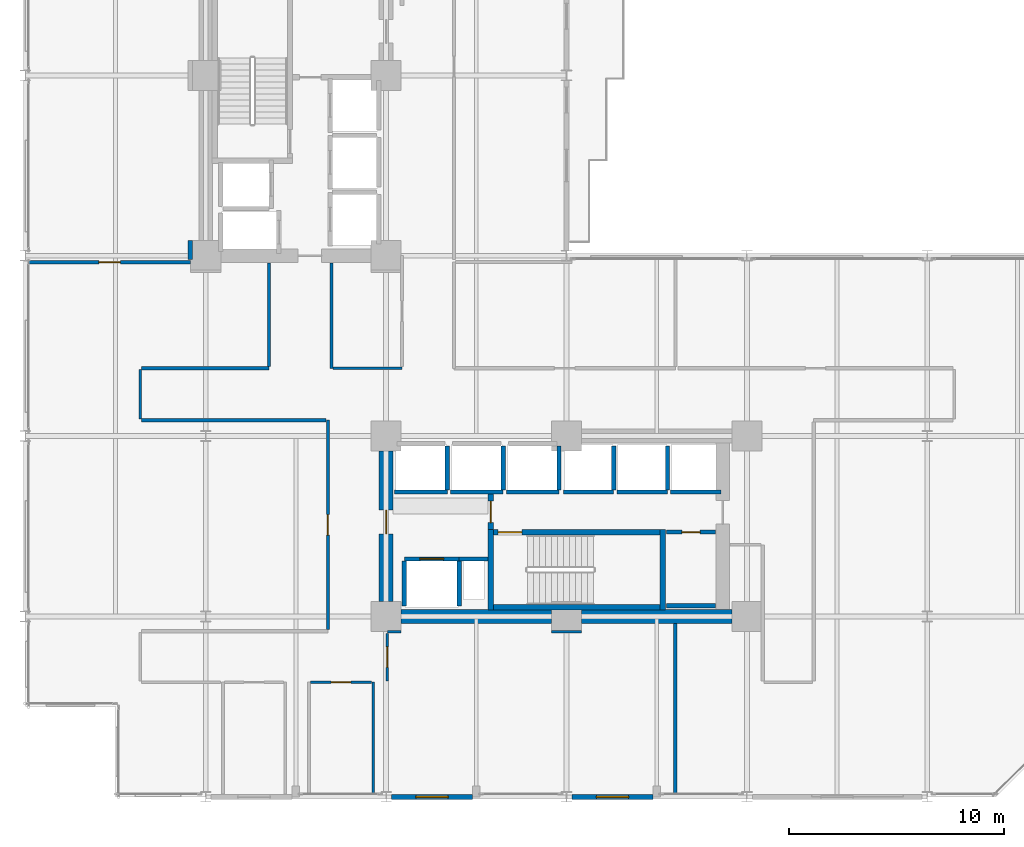
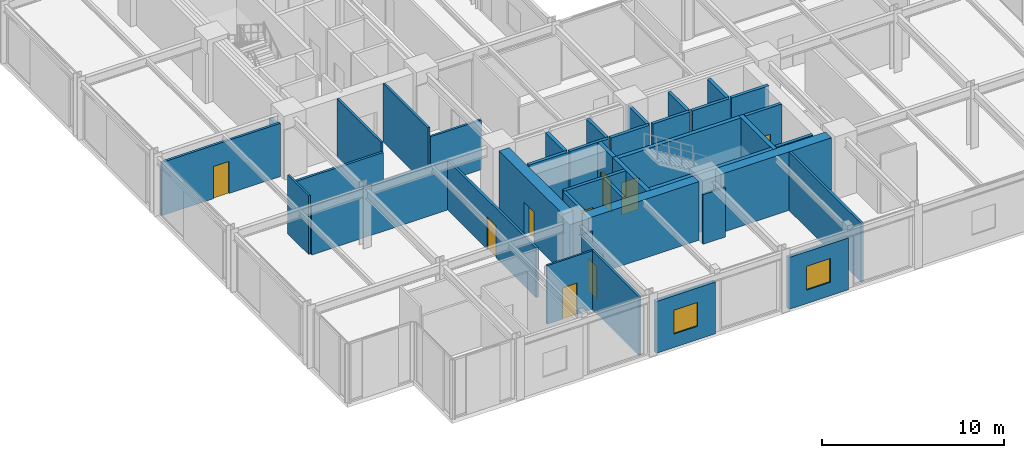
# One storey, part 19 of 24: 42 walls, 9 doors, 2 windows, 11 openings.
"""IFC4 building model written with IfcOpenShell, lengths in metres."""

from ifc_helpers import new_model, si_unit, direction, frame, frame_2d, origin, place, context, subcontext, project, spatial, rectangle, extrude, material, layer, layer_set, type_object, element, fill, save


model = new_model("IFC4")

# Units and contexts
model_context = context("Model", 3, precision=1e-05, world=origin(), true_north=direction((0.0, 1.0)))
body_context = subcontext(model_context, "Body", "Model", "MODEL_VIEW")
ifc_project = project(units=[si_unit("LENGTHUNIT", "METRE"), si_unit("AREAUNIT", "SQUARE_METRE"), si_unit("VOLUMEUNIT", "CUBIC_METRE"), si_unit("PLANEANGLEUNIT", "RADIAN"), si_unit("MASSUNIT", "GRAM", prefix="KILO")], contexts=[model_context])

# Site, building, storey
site_placement = place(None, origin())
site = spatial("IfcSite", under=ifc_project, at=site_placement, CompositionType="ELEMENT")
building_placement = place(site_placement, origin())
building = spatial("IfcBuilding", under=site, at=building_placement, Name="Nerrivon Quay Data Exchange", CompositionType="ELEMENT")
storey_placement = place(building_placement, frame((0.0, 0.0, 37.39990234375)))
storey = spatial("IfcBuildingStorey", under=building, at=storey_placement, Name="L08", CompositionType="ELEMENT", Elevation=37.39990234375)

# Wall, opening, window
ifc_material_1 = material(Name="Architectural terracotta precast concrete N50 (50 MPa)", Category="masonry")
ifc_layer_1 = layer(ifc_material_1, 0.239990234375)
ifc_layer_set_1 = layer_set([ifc_layer_1], Name="Architectural terracotta precast concrete N50 (50 MPa)")
wall_type_1 = type_object("IfcWallType", Name="EW-PREC-240", PredefinedType="STANDARD", material=ifc_layer_set_1)
wall_1_placement = place(storey_placement, frame((29.22509765625, 0.0, 0.0), z_axis=(0.0, 0.0, 1.0), x_axis=(-1.0, 0.0, 0.0)))
wall_1 = element("IfcWall", 1, at=wall_1_placement, inside=storey, type_object=wall_type_1, Name="L08 Podium Precast Spandrel Wall 5", PredefinedType="STANDARD", context=body_context, shape_type="SweptSolid", body=[
    extrude(rectangle(XDim=3.775146484375, YDim=0.239990234375, at=frame_2d((1.8876953125, 0.0))), origin(), (0.0, 0.0, 1.0), 3.47119140625),
])
opening_1_placement = place(wall_1_placement, frame((1.137451171875, 0.0, 0.89990234375)))
opening_1 = element("IfcOpeningElement", 2, at=opening_1_placement, cuts=wall_1, Name="Opening WN4", PredefinedType="OPENING", context=body_context, shape_type="SweptSolid", body=[
    extrude(rectangle(XDim=1.5, YDim=1.60009765625, at=frame_2d((0.75, 0.800048828125))), frame((0.0, 0.1298828125, 0.0), z_axis=(0.0, -1.0, 0.0), x_axis=(1.0, 0.0, 0.0)), (0.0, 0.0, 1.0), 0.260009765625),
])
ifc_material_2 = material(Name="Double-glazed low-E solar control glass", Category="glass")
window_type = type_object("IfcWindowType", Name="WIN-W4-1500x1600", PartitioningType="SINGLE_PANEL", PredefinedType="WINDOW", material=ifc_material_2)
window_1_placement = place(opening_1_placement, origin())
window_1 = element("IfcWindow", 3, at=window_1_placement, inside=storey, type_object=window_type, Name="L08 Solar Facade Window 5", OverallHeight=1.60009765625, OverallWidth=1.5, PartitioningType="SINGLE_PANEL", PredefinedType="WINDOW", context=body_context, shape_type="SweptSolid", body=[
    extrude(rectangle(XDim=1.5, YDim=1.60009765625, at=frame_2d((0.75, 0.800048828125))), frame((0.0, 0.030029296875, 0.0), z_axis=(0.0, -1.0, 0.0), x_axis=(1.0, 0.0, 0.0)), (0.0, 0.0, 1.0), 0.06005859375),
])
fill(opening_1, window_1)

wall_2_placement = place(storey_placement, frame((20.824951171875, 0.0, 0.0), z_axis=(0.0, 0.0, 1.0), x_axis=(-1.0, 0.0, 0.0)))
wall_2 = element("IfcWall", 4, at=wall_2_placement, inside=storey, type_object=wall_type_1, Name="L08 Podium Precast Spandrel Wall 7", PredefinedType="STANDARD", context=body_context, shape_type="SweptSolid", body=[
    extrude(rectangle(XDim=3.77490234375, YDim=0.239990234375, at=frame_2d((1.887451171875, 0.0))), origin(), (0.0, 0.0, 1.0), 3.47119140625),
])
opening_2_placement = place(wall_2_placement, frame((1.137451171875, 0.0, 0.89990234375)))
opening_2 = element("IfcOpeningElement", 5, at=opening_2_placement, cuts=wall_2, Name="Opening WN4", PredefinedType="OPENING", context=body_context, shape_type="SweptSolid", body=[
    extrude(rectangle(XDim=1.5, YDim=1.60009765625, at=frame_2d((0.75, 0.800048828125))), frame((0.0, 0.1298828125, 0.0), z_axis=(0.0, -1.0, 0.0), x_axis=(1.0, 0.0, 0.0)), (0.0, 0.0, 1.0), 0.260009765625),
])
window_2_placement = place(opening_2_placement, origin())
window_2 = element("IfcWindow", 6, at=window_2_placement, inside=storey, type_object=window_type, Name="L08 Solar Facade Window 7", OverallHeight=1.60009765625, OverallWidth=1.5, PartitioningType="SINGLE_PANEL", PredefinedType="WINDOW", context=body_context, shape_type="SweptSolid", body=[
    extrude(rectangle(XDim=1.5, YDim=1.60009765625, at=frame_2d((0.75, 0.800048828125))), frame((0.0, 0.030029296875, 0.0), z_axis=(0.0, -1.0, 0.0), x_axis=(1.0, 0.0, 0.0)), (0.0, 0.0, 1.0), 0.06005859375),
])
fill(opening_2, window_2)

# Walls
ifc_material_3 = material(Name="Concrete N80 (80 MPa)", Category="concrete")
ifc_layer_2 = layer(ifc_material_3, 0.64990234375)
ifc_layer_set_2 = layer_set([ifc_layer_2], Name="Concrete N80 (80 MPa)")
wall_type_2 = type_object("IfcWallType", Name="WALL-CW-850", PredefinedType="SHEAR", material=ifc_layer_set_2)
for number, where, z_axis, x_axis, name in (
    (7, (17.5, 8.39990234375, 0.0), (0.0, 0.0, 1.0), (1.0, 0.0, 0.0), "L08 East Split-Core Shear Wall ECW-S1"),
    (8, (25.89990234375, 8.39990234375, 0.0), (0.0, 0.0, 1.0), (1.0, 0.0, 0.0), "L08 East Split-Core Shear Wall ECW-S2"),
):
    element("IfcWall", number, at=place(storey_placement, frame(where, z_axis=z_axis, x_axis=x_axis)), inside=storey, type_object=wall_type_2, Name=name, PredefinedType="SHEAR", context=body_context, shape_type="SweptSolid", body=[
        extrude(rectangle(XDim=7.0, YDim=0.64990234375, at=frame_2d((3.5, 0.0))), origin(), (0.0, 0.0, 1.0), 3.925048828125),
    ])

# Wall, opening, door
wall_3_placement = place(storey_placement, frame((16.800048828125, 9.10009765625, 0.0), z_axis=(0.0, 0.0, 1.0), x_axis=(0.0, 1.0, 0.0)))
wall_3 = element("IfcWall", 9, at=wall_3_placement, inside=storey, type_object=wall_type_2, Name="L08 East Split-Core Shear Wall ECW-W1", PredefinedType="SHEAR", context=body_context, shape_type="SweptSolid", body=[
    extrude(rectangle(XDim=7.0, YDim=0.64990234375, at=frame_2d((3.5, 0.0))), origin(), (0.0, 0.0, 1.0), 3.925048828125),
])
opening_3_placement = place(wall_3_placement, frame((3.14990234375, 0.0, 0.0)))
opening_3 = element("IfcOpeningElement", 10, at=opening_3_placement, cuts=wall_3, Name="Opening FD-120", PredefinedType="OPENING", context=body_context, shape_type="SweptSolid", body=[
    extrude(rectangle(XDim=1.10009765625, YDim=2.14990234375, at=frame_2d((0.550048828125, 1.074951171875))), frame((0.0, 0.3349609375, 0.0), z_axis=(0.0, -1.0, 0.0), x_axis=(1.0, 0.0, 0.0)), (0.0, 0.0, 1.0), 0.669921875),
])
ifc_material_4 = material(Name="Powder-coated galvanized steel sheet", Category="steel")
door_type_1 = type_object("IfcDoorType", Name="DR-FD120-1100", OperationType="NOTDEFINED", PredefinedType="DOOR", material=ifc_material_4)
door_1_placement = place(opening_3_placement, origin())
door_1 = element("IfcDoor", 11, at=door_1_placement, inside=storey, type_object=door_type_1, Name="L08 East Core Lobby Fire Door", OperationType="SINGLE_SWING_RIGHT", OverallHeight=2.14990234375, OverallWidth=1.10009765625, PredefinedType="DOOR", context=body_context, shape_type="SweptSolid", body=[
    extrude(rectangle(XDim=1.10009765625, YDim=2.14990234375, at=frame_2d((0.550048828125, 1.074951171875))), frame((0.0, 0.02490234375, 0.0), z_axis=(0.0, -1.0, 0.0), x_axis=(1.0, 0.0, 0.0)), (0.0, 0.0, 1.0), 0.050048828125),
])
fill(opening_3, door_1)

# Wall
ifc_material_5 = material(Name="Gypsum plasterboard on cold-formed framing", Category="gypsum")
ifc_layer_3 = layer(ifc_material_5, 0.199951171875)
ifc_layer_set_3 = layer_set([ifc_layer_3], Name="Gypsum plasterboard on cold-formed framing")
wall_type_3 = type_object("IfcWallType", Name="WALL-FW-200", PredefinedType="PARTITIONING", material=ifc_layer_set_3)
wall_4_placement = place(storey_placement, frame((20.199951171875, 11.080078125, 0.0), z_axis=(0.0, 0.0, 1.0), x_axis=(1.0, 0.0, 0.0)))
element("IfcWall", 12, at=wall_4_placement, inside=storey, type_object=wall_type_3, Name="L08 East Core MEP Riser Shaft Wall N", PredefinedType="PARTITIONING", context=body_context, shape_type="SweptSolid", body=[
    extrude(rectangle(XDim=1.35009765625, YDim=0.199951171875, at=frame_2d((0.675048828125, 0.0))), origin(), (0.0, 0.0, 1.0), 3.925048828125),
])

# Wall, opening, door
wall_5_placement = place(storey_placement, frame((17.64990234375, 11.080078125, 0.0), z_axis=(0.0, 0.0, 1.0), x_axis=(1.0, 0.0, 0.0)))
wall_5 = element("IfcWall", 13, at=wall_5_placement, inside=storey, type_object=wall_type_3, Name="L08 Lift Front Wall FFL-2", PredefinedType="PARTITIONING", context=body_context, shape_type="SweptSolid", body=[
    extrude(rectangle(XDim=2.550048828125, YDim=0.199951171875, at=frame_2d((1.27490234375, 0.0))), origin(), (0.0, 0.0, 1.0), 3.925048828125),
])
opening_4_placement = place(wall_5_placement, frame((0.72509765625, 0.0, 0.0)))
opening_4 = element("IfcOpeningElement", 14, at=opening_4_placement, cuts=wall_5, Name="Opening LD-120", PredefinedType="OPENING", context=body_context, shape_type="SweptSolid", body=[
    extrude(rectangle(XDim=1.10009765625, YDim=2.199951171875, at=frame_2d((0.550048828125, 1.10009765625))), frame((0.0, 0.10986328125, 0.0), z_axis=(0.0, -1.0, 0.0), x_axis=(1.0, 0.0, 0.0)), (0.0, 0.0, 1.0), 0.219970703125),
])
door_type_2 = type_object("IfcDoorType", Name="DR-LIFT-LD120", OperationType="DOUBLE_DOOR_SLIDING", PredefinedType="DOOR", material=ifc_material_4)
door_2_placement = place(opening_4_placement, origin())
door_2 = element("IfcDoor", 15, at=door_2_placement, inside=storey, type_object=door_type_2, Name="L08 Lift Landing Sliding Door FFL-2", OperationType="DOUBLE_DOOR_SLIDING", OverallHeight=2.199951171875, OverallWidth=1.10009765625, PredefinedType="DOOR", context=body_context, shape_type="SweptSolid", body=[
    extrude(rectangle(XDim=1.10009765625, YDim=2.199951171875, at=frame_2d((0.550048828125, 1.10009765625))), frame((0.0, 0.02490234375, 0.0), z_axis=(0.0, -1.0, 0.0), x_axis=(1.0, 0.0, 0.0)), (0.0, 0.0, 1.0), 0.050048828125),
])
fill(opening_4, door_2)

# Walls
for number, where, z_axis, x_axis, name in (
    (16, (20.199951171875, 8.8798828125, 0.0), (0.0, 0.0, 1.0), (0.0, 1.0, 0.0), "L08 Lift Shaft Wall FFL-2 EAST"),
    (17, (17.64990234375, 8.8798828125, 0.0), (0.0, 0.0, 1.0), (0.0, 1.0, 0.0), "L08 Lift Shaft Wall FFL-2 WEST"),
):
    element("IfcWall", number, at=place(storey_placement, frame(where, z_axis=z_axis, x_axis=x_axis)), inside=storey, type_object=wall_type_3, Name=name, PredefinedType="PARTITIONING", context=body_context, shape_type="SweptSolid", body=[
        extrude(rectangle(XDim=2.10009765625, YDim=0.199951171875, at=frame_2d((1.050048828125, 0.0))), origin(), (0.0, 0.0, 1.0), 3.925048828125),
    ])
wall_6_placement = place(storey_placement, frame((17.199951171875, 14.199951171875, 0.0), z_axis=(0.0, 0.0, 1.0), x_axis=(1.0, 0.0, 0.0)))
element("IfcWall", 18, at=wall_6_placement, inside=storey, type_object=wall_type_3, Name="L08 Lift Front Wall PL4", PredefinedType="PARTITIONING", context=body_context, shape_type="SweptSolid", body=[
    extrude(rectangle(XDim=2.449951171875, YDim=0.199951171875, at=frame_2d((1.22509765625, 0.0))), origin(), (0.0, 0.0, 1.0), 3.925048828125),
])
wall_7_placement = place(storey_placement, frame((19.64990234375, 14.300048828125, 0.0), z_axis=(0.0, 0.0, 1.0), x_axis=(0.0, 1.0, 0.0)))
element("IfcWall", 19, at=wall_7_placement, inside=storey, type_object=wall_type_3, Name="L08 Lift Shaft Wall PL4 EAST", PredefinedType="PARTITIONING", context=body_context, shape_type="SweptSolid", body=[
    extrude(rectangle(XDim=2.050048828125, YDim=0.199951171875, at=frame_2d((1.02490234375, 0.0))), origin(), (0.0, 0.0, 1.0), 3.925048828125),
])
wall_8_placement = place(storey_placement, frame((19.800048828125, 14.199951171875, 0.0), z_axis=(0.0, 0.0, 1.0), x_axis=(1.0, 0.0, 0.0)))
element("IfcWall", 20, at=wall_8_placement, inside=storey, type_object=wall_type_3, Name="L08 Lift Front Wall PL5", PredefinedType="PARTITIONING", context=body_context, shape_type="SweptSolid", body=[
    extrude(rectangle(XDim=2.449951171875, YDim=0.199951171875, at=frame_2d((1.22509765625, 0.0))), origin(), (0.0, 0.0, 1.0), 3.925048828125),
])
wall_9_placement = place(storey_placement, frame((22.25, 14.300048828125, 0.0), z_axis=(0.0, 0.0, 1.0), x_axis=(0.0, 1.0, 0.0)))
element("IfcWall", 21, at=wall_9_placement, inside=storey, type_object=wall_type_3, Name="L08 Lift Shaft Wall PL5 EAST", PredefinedType="PARTITIONING", context=body_context, shape_type="SweptSolid", body=[
    extrude(rectangle(XDim=2.050048828125, YDim=0.199951171875, at=frame_2d((1.02490234375, 0.0))), origin(), (0.0, 0.0, 1.0), 3.925048828125),
])
wall_10_placement = place(storey_placement, frame((22.39990234375, 14.199951171875, 0.0), z_axis=(0.0, 0.0, 1.0), x_axis=(1.0, 0.0, 0.0)))
element("IfcWall", 22, at=wall_10_placement, inside=storey, type_object=wall_type_3, Name="L08 Lift Front Wall PL6", PredefinedType="PARTITIONING", context=body_context, shape_type="SweptSolid", body=[
    extrude(rectangle(XDim=2.4501953125, YDim=0.199951171875, at=frame_2d((1.22509765625, 0.0))), origin(), (0.0, 0.0, 1.0), 3.925048828125),
])
wall_11_placement = place(storey_placement, frame((24.85009765625, 14.300048828125, 0.0), z_axis=(0.0, 0.0, 1.0), x_axis=(0.0, 1.0, 0.0)))
element("IfcWall", 23, at=wall_11_placement, inside=storey, type_object=wall_type_3, Name="L08 Lift Shaft Wall PL6 EAST", PredefinedType="PARTITIONING", context=body_context, shape_type="SweptSolid", body=[
    extrude(rectangle(XDim=2.050048828125, YDim=0.199951171875, at=frame_2d((1.02490234375, 0.0))), origin(), (0.0, 0.0, 1.0), 3.925048828125),
])
wall_12_placement = place(storey_placement, frame((25.050048828125, 14.199951171875, 0.0), z_axis=(0.0, 0.0, 1.0), x_axis=(1.0, 0.0, 0.0)))
element("IfcWall", 24, at=wall_12_placement, inside=storey, type_object=wall_type_3, Name="L08 Lift Front Wall PL7", PredefinedType="PARTITIONING", context=body_context, shape_type="SweptSolid", body=[
    extrude(rectangle(XDim=2.349853515625, YDim=0.199951171875, at=frame_2d((1.1748046875, 0.0))), origin(), (0.0, 0.0, 1.0), 3.925048828125),
])
wall_13_placement = place(storey_placement, frame((27.39990234375, 14.300048828125, 0.0), z_axis=(0.0, 0.0, 1.0), x_axis=(0.0, 1.0, 0.0)))
element("IfcWall", 25, at=wall_13_placement, inside=storey, type_object=wall_type_3, Name="L08 Lift Shaft Wall PL7 EAST", PredefinedType="PARTITIONING", context=body_context, shape_type="SweptSolid", body=[
    extrude(rectangle(XDim=2.050048828125, YDim=0.199951171875, at=frame_2d((1.02490234375, 0.0))), origin(), (0.0, 0.0, 1.0), 3.925048828125),
])
wall_14_placement = place(storey_placement, frame((27.550048828125, 14.199951171875, 0.0), z_axis=(0.0, 0.0, 1.0), x_axis=(1.0, 0.0, 0.0)))
element("IfcWall", 26, at=wall_14_placement, inside=storey, type_object=wall_type_3, Name="L08 Lift Front Wall PL8", PredefinedType="PARTITIONING", context=body_context, shape_type="SweptSolid", body=[
    extrude(rectangle(XDim=2.349853515625, YDim=0.199951171875, at=frame_2d((1.1748046875, 0.0))), origin(), (0.0, 0.0, 1.0), 3.925048828125),
])
wall_15_placement = place(storey_placement, frame((29.89990234375, 14.300048828125, 0.0), z_axis=(0.0, 0.0, 1.0), x_axis=(0.0, 1.0, 0.0)))
element("IfcWall", 27, at=wall_15_placement, inside=storey, type_object=wall_type_3, Name="L08 Lift Shaft Wall PL8 EAST", PredefinedType="PARTITIONING", context=body_context, shape_type="SweptSolid", body=[
    extrude(rectangle(XDim=2.050048828125, YDim=0.199951171875, at=frame_2d((1.02490234375, 0.0))), origin(), (0.0, 0.0, 1.0), 3.925048828125),
])
wall_16_placement = place(storey_placement, frame((30.050048828125, 14.199951171875, 0.0), z_axis=(0.0, 0.0, 1.0), x_axis=(1.0, 0.0, 0.0)))
element("IfcWall", 28, at=wall_16_placement, inside=storey, type_object=wall_type_3, Name="L08 Lift Front Wall PL9", PredefinedType="PARTITIONING", context=body_context, shape_type="SweptSolid", body=[
    extrude(rectangle(XDim=2.349853515625, YDim=0.199951171875, at=frame_2d((1.1748046875, 0.0))), origin(), (0.0, 0.0, 1.0), 3.925048828125),
])

# Wall, opening, door
wall_17_placement = place(storey_placement, frame((32.14599609375, 12.330078125, 0.0), z_axis=(0.0, 0.0, 1.0), x_axis=(-1.0, 0.0, 0.0)))
wall_17 = element("IfcWall", 29, at=wall_17_placement, inside=storey, type_object=wall_type_3, Name="L08 Partition East Supply Store", PredefinedType="PARTITIONING", context=body_context, shape_type="SweptSolid", body=[
    extrude(rectangle(XDim=2.2958984375, YDim=0.199951171875, at=frame_2d((1.14794921875, 0.0))), origin(), (0.0, 0.0, 1.0), 3.925048828125),
])
opening_5_placement = place(wall_17_placement, frame((0.722900390625, 0.0, 0.0)))
opening_5 = element("IfcOpeningElement", 30, at=opening_5_placement, cuts=wall_17, Name="Opening FD-60S", PredefinedType="OPENING", context=body_context, shape_type="SweptSolid", body=[
    extrude(rectangle(XDim=0.85009765625, YDim=2.14990234375, at=frame_2d((0.425048828125, 1.074951171875))), frame((0.0, 0.10986328125, 0.0), z_axis=(0.0, -1.0, 0.0), x_axis=(1.0, 0.0, 0.0)), (0.0, 0.0, 1.0), 0.219970703125),
])
ifc_material_6 = material(Name="Engineered hardwood timber", Category="wood")
door_type_3 = type_object("IfcDoorType", Name="DR-FD60-850", OperationType="NOTDEFINED", PredefinedType="DOOR", material=ifc_material_6)
door_3_placement = place(opening_5_placement, origin())
door_3 = element("IfcDoor", 31, at=door_3_placement, inside=storey, type_object=door_type_3, Name="L08 Door East Supply Store", OperationType="SINGLE_SWING_LEFT", OverallHeight=2.14990234375, OverallWidth=0.85009765625, PredefinedType="DOOR", context=body_context, shape_type="SweptSolid", body=[
    extrude(rectangle(XDim=0.85009765625, YDim=2.14990234375, at=frame_2d((0.425048828125, 1.074951171875))), frame((0.0, 0.02490234375, 0.0), z_axis=(0.0, -1.0, 0.0), x_axis=(1.0, 0.0, 0.0)), (0.0, 0.0, 1.0), 0.050048828125),
])
fill(opening_5, door_3)

# Walls
wall_18_placement = place(storey_placement, frame((29.85009765625, 8.89990234375, 0.0), z_axis=(0.0, 0.0, 1.0), x_axis=(1.0, 0.0, 0.0)))
element("IfcWall", 32, at=wall_18_placement, inside=storey, type_object=wall_type_3, Name="L08 Partition East Supply Store", PredefinedType="PARTITIONING", context=body_context, shape_type="SweptSolid", body=[
    extrude(rectangle(XDim=2.2958984375, YDim=0.199951171875, at=frame_2d((1.14794921875, 0.0))), origin(), (0.0, 0.0, 1.0), 3.925048828125),
])
wall_19_placement = place(storey_placement, frame((7.679931640625, 25.020751953125, 0.0), z_axis=(0.0, 0.0, 1.0), x_axis=(0.0, 1.0, 0.0)))
element("IfcWall", 33, at=wall_19_placement, inside=storey, type_object=wall_type_3, Name="L08 Partition Colocation Data Workspace 1", PredefinedType="PARTITIONING", context=body_context, shape_type="SweptSolid", body=[
    extrude(rectangle(XDim=0.879150390625, YDim=0.199951171875, at=frame_2d((0.439453125, 0.0))), origin(), (0.0, 0.0, 1.0), 3.31298828125),
])

# Wall, opening, door
ifc_layer_4 = layer(ifc_material_5, 0.1201171875)
ifc_layer_set_4 = layer_set([ifc_layer_4], Name="Gypsum plasterboard on cold-formed framing")
wall_type_4 = type_object("IfcWallType", Name="WALL-PT-120", PredefinedType="PARTITIONING", material=ifc_layer_set_4)
wall_20_placement = place(storey_placement, frame((16.12841796875, 5.340087890625, 0.0), z_axis=(0.0, 0.0, 1.0), x_axis=(-1.0, 0.0, 0.0)))
wall_20 = element("IfcWall", 34, at=wall_20_placement, inside=storey, type_object=wall_type_4, Name="L08 Partition Accessible Toilet", PredefinedType="PARTITIONING", context=body_context, shape_type="SweptSolid", body=[
    extrude(rectangle(XDim=2.85693359375, YDim=0.1201171875, at=frame_2d((1.428466796875, 0.0))), origin(), (0.0, 0.0, 1.0), 3.925048828125),
])
opening_6_placement = place(wall_20_placement, frame((0.968505859375, 0.0, 0.0)))
opening_6 = element("IfcOpeningElement", 35, at=opening_6_placement, cuts=wall_20, Name="Opening D-WC", PredefinedType="OPENING", context=body_context, shape_type="SweptSolid", body=[
    extrude(rectangle(XDim=0.919921875, YDim=2.10009765625, at=frame_2d((0.4599609375, 1.050048828125))), frame((0.0, 0.070068359375, 0.0), z_axis=(0.0, -1.0, 0.0), x_axis=(1.0, 0.0, 0.0)), (0.0, 0.0, 1.0), 0.14013671875),
])
door_type_4 = type_object("IfcDoorType", Name="DR-WC-920", OperationType="NOTDEFINED", PredefinedType="DOOR", material=ifc_material_6)
door_4_placement = place(opening_6_placement, origin())
door_4 = element("IfcDoor", 36, at=door_4_placement, inside=storey, type_object=door_type_4, Name="L08 Door Accessible Toilet", OperationType="SINGLE_SWING_RIGHT", OverallHeight=2.10009765625, OverallWidth=0.919921875, PredefinedType="DOOR", context=body_context, shape_type="SweptSolid", body=[
    extrude(rectangle(XDim=0.919921875, YDim=2.10009765625, at=frame_2d((0.4599609375, 1.050048828125))), frame((0.0, 0.02490234375, 0.0), z_axis=(0.0, -1.0, 0.0), x_axis=(1.0, 0.0, 0.0)), (0.0, 0.0, 1.0), 0.050048828125),
])
fill(opening_6, door_4)

# Walls
wall_21_placement = place(storey_placement, frame((25.90576171875, 7.680908203125, 0.0), z_axis=(0.0, 0.0, 1.0), x_axis=(-0.999999758706, -0.000694685487, 0.0)))
element("IfcWall", 37, at=wall_21_placement, inside=storey, type_object=wall_type_4, Name="L08 Partition Peering Huddle Meeting Room", PredefinedType="PARTITIONING", context=body_context, shape_type="SweptSolid", body=[
    extrude(rectangle(XDim=1.40576171875, YDim=0.1201171875, at=frame_2d((0.702880859375, 0.0))), origin(), (0.0, 0.0, 1.0), 3.322998046875),
])
wall_22_placement = place(storey_placement, frame((17.5, 7.679931640625, 0.0), z_axis=(0.0, 0.0, 1.0), x_axis=(-1.0, 0.0, 0.0)))
element("IfcWall", 38, at=wall_22_placement, inside=storey, type_object=wall_type_4, Name="L08 Partition Peering Huddle Meeting Room", PredefinedType="PARTITIONING", context=body_context, shape_type="SweptSolid", body=[
    extrude(rectangle(XDim=0.639892578125, YDim=0.1201171875, at=frame_2d((0.31982421875, 0.0))), origin(), (0.0, 0.0, 1.0), 3.322998046875),
])

# Wall, opening, door
wall_23_placement = place(storey_placement, frame((16.860107421875, 7.615966796875, 0.0), z_axis=(0.0, 0.0, 1.0), x_axis=(0.0, -1.0, 0.0)))
wall_23 = element("IfcWall", 39, at=wall_23_placement, inside=storey, type_object=wall_type_4, Name="L08 Partition Peering Huddle Meeting Room", PredefinedType="PARTITIONING", context=body_context, shape_type="SweptSolid", body=[
    extrude(rectangle(XDim=2.216064453125, YDim=0.1201171875, at=frame_2d((1.10791015625, 0.0))), origin(), (0.0, 0.0, 1.0), 3.322998046875),
])
opening_7_placement = place(wall_23_placement, frame((0.633056640625, 0.0, 0.0)))
opening_7 = element("IfcOpeningElement", 40, at=opening_7_placement, cuts=wall_23, Name="Opening D-01", PredefinedType="OPENING", context=body_context, shape_type="SweptSolid", body=[
    extrude(rectangle(XDim=0.949951171875, YDim=2.14990234375, at=frame_2d((0.47509765625, 1.074951171875))), frame((0.0, 0.070068359375, 0.0), z_axis=(0.0, -1.0, 0.0), x_axis=(1.0, 0.0, 0.0)), (0.0, 0.0, 1.0), 0.14013671875),
])
door_type_5 = type_object("IfcDoorType", Name="DR-INT-950", OperationType="NOTDEFINED", PredefinedType="DOOR", material=ifc_material_6)
door_5_placement = place(opening_7_placement, origin())
door_5 = element("IfcDoor", 41, at=door_5_placement, inside=storey, type_object=door_type_5, Name="L08 Door Peering Huddle Meeting Room", OperationType="SINGLE_SWING_RIGHT", OverallHeight=2.14990234375, OverallWidth=0.949951171875, PredefinedType="DOOR", context=body_context, shape_type="SweptSolid", body=[
    extrude(rectangle(XDim=0.949951171875, YDim=2.14990234375, at=frame_2d((0.47509765625, 1.074951171875))), frame((0.0, 0.02490234375, 0.0), z_axis=(0.0, -1.0, 0.0), x_axis=(1.0, 0.0, 0.0)), (0.0, 0.0, 1.0), 0.050048828125),
])
fill(opening_7, door_5)

# Walls
wall_24_placement = place(storey_placement, frame((5.340087890625, 17.60009765625, 0.0), z_axis=(0.0, 0.0, 1.0), x_axis=(0.0, 1.0, 0.0)))
element("IfcWall", 42, at=wall_24_placement, inside=storey, type_object=wall_type_4, Name="L08 Partition Cloud Compute Workspace 1", PredefinedType="PARTITIONING", context=body_context, shape_type="SweptSolid", body=[
    extrude(rectangle(XDim=2.2998046875, YDim=0.1201171875, at=frame_2d((1.14990234375, 0.0))), origin(), (0.0, 0.0, 1.0), 3.925048828125),
])
ifc_layer_5 = layer(ifc_material_5, 0.135009765625)
ifc_layer_set_5 = layer_set([ifc_layer_5], Name="Gypsum plasterboard on cold-formed framing")
wall_type_5 = type_object("IfcWallType", Name="WALL-PT-135", PredefinedType="PARTITIONING", material=ifc_layer_set_5)
wall_25_placement = place(storey_placement, frame((16.199951171875, 0.1689453125, 0.0), z_axis=(0.0, 0.0, 1.0), x_axis=(0.0, 1.0, 0.0)))
element("IfcWall", 43, at=wall_25_placement, inside=storey, type_object=wall_type_5, Name="L08 Partition Accessible Toilet", PredefinedType="PARTITIONING", context=body_context, shape_type="SweptSolid", body=[
    extrude(rectangle(XDim=5.171142578125, YDim=0.135009765625, at=frame_2d((2.58544921875, 0.0))), origin(), (0.0, 0.0, 1.0), 3.925048828125),
])
wall_26_placement = place(storey_placement, frame((14.260009765625, 24.87109375, 0.0), z_axis=(0.0, 0.0, 1.0), x_axis=(0.0, -1.0, 0.0)))
element("IfcWall", 44, at=wall_26_placement, inside=storey, type_object=wall_type_5, Name="L08 Partition Staff Pantry", PredefinedType="PARTITIONING", context=body_context, shape_type="SweptSolid", body=[
    extrude(rectangle(XDim=4.9111328125, YDim=0.135009765625, at=frame_2d((2.45556640625, 0.0))), origin(), (0.0, 0.0, 1.0), 3.925048828125),
])
wall_27_placement = place(storey_placement, frame((14.33154296875, 19.9599609375, 0.0), z_axis=(0.0, 0.0, 1.0), x_axis=(1.0, 0.0, 0.0)))
element("IfcWall", 45, at=wall_27_placement, inside=storey, type_object=wall_type_5, Name="L08 Partition Staff Pantry", PredefinedType="PARTITIONING", context=body_context, shape_type="SweptSolid", body=[
    extrude(rectangle(XDim=3.20849609375, YDim=0.135009765625, at=frame_2d((1.604248046875, 0.0))), origin(), (0.0, 0.0, 1.0), 3.322998046875),
])
wall_28_placement = place(storey_placement, frame((11.340087890625, 20.0390625, 0.0), z_axis=(0.0, 0.0, 1.0), x_axis=(0.0, 1.0, 0.0)))
element("IfcWall", 46, at=wall_28_placement, inside=storey, type_object=wall_type_5, Name="L08 Partition Cloud Compute Workspace 1", PredefinedType="PARTITIONING", context=body_context, shape_type="SweptSolid", body=[
    extrude(rectangle(XDim=4.83203125, YDim=0.135009765625, at=frame_2d((2.416015625, 0.0))), origin(), (0.0, 0.0, 1.0), 3.925048828125),
])
ifc_layer_6 = layer(ifc_material_5, 0.14990234375)
ifc_layer_set_6 = layer_set([ifc_layer_6], Name="Gypsum plasterboard on cold-formed framing")
wall_type_6 = type_object("IfcWallType", Name="WALL-PT-150", PredefinedType="PARTITIONING", material=ifc_layer_set_6)
wall_29_placement = place(storey_placement, frame((30.268798828125, 0.1689453125, 0.0), z_axis=(0.0, 0.0, 1.0), x_axis=(0.0, 1.0, 0.0)))
element("IfcWall", 47, at=wall_29_placement, inside=storey, type_object=wall_type_6, Name="L08 Partition Peering Huddle Meeting Room", PredefinedType="PARTITIONING", context=body_context, shape_type="SweptSolid", body=[
    extrude(rectangle(XDim=7.902099609375, YDim=0.14990234375, at=frame_2d((3.951171875, 0.0))), origin(), (0.0, 0.0, 1.0), 3.925048828125),
])

# Wall, opening, door
wall_30_placement = place(storey_placement, frame((7.679931640625, 24.90087890625, 0.0), z_axis=(0.0, 0.0, 1.0), x_axis=(-1.0, 0.0, 0.0)))
wall_30 = element("IfcWall", 48, at=wall_30_placement, inside=storey, type_object=wall_type_6, Name="L08 Partition Cloud Compute Workspace 1", PredefinedType="PARTITIONING", context=body_context, shape_type="SweptSolid", body=[
    extrude(rectangle(XDim=7.510986328125, YDim=0.14990234375, at=frame_2d((3.75537109375, 0.0))), origin(), (0.0, 0.0, 1.0), 3.566162109375),
])
opening_8_placement = place(wall_30_placement, frame((3.255615234375, 0.0, 0.0)))
opening_8 = element("IfcOpeningElement", 49, at=opening_8_placement, cuts=wall_30, Name="Opening FD-60", PredefinedType="OPENING", context=body_context, shape_type="SweptSolid", body=[
    extrude(rectangle(XDim=1.0, YDim=2.14990234375, at=frame_2d((0.5, 1.074951171875))), frame((0.0, 0.0849609375, 0.0), z_axis=(0.0, -1.0, 0.0), x_axis=(1.0, 0.0, 0.0)), (0.0, 0.0, 1.0), 0.169921875),
])
door_type_6 = type_object("IfcDoorType", Name="DR-FD60-1000", OperationType="NOTDEFINED", PredefinedType="DOOR", material=ifc_material_6)
door_6_placement = place(opening_8_placement, origin())
door_6 = element("IfcDoor", 50, at=door_6_placement, inside=storey, type_object=door_type_6, Name="L08 Door Colocation Data Workspace 1", OperationType="SINGLE_SWING_LEFT", OverallHeight=2.14990234375, OverallWidth=1.0, PredefinedType="DOOR", context=body_context, shape_type="SweptSolid", body=[
    extrude(rectangle(XDim=1.0, YDim=2.14990234375, at=frame_2d((0.5, 1.074951171875))), frame((0.0, 0.02490234375, 0.0), z_axis=(0.0, -1.0, 0.0), x_axis=(1.0, 0.0, 0.0)), (0.0, 0.0, 1.0), 0.050048828125),
])
fill(opening_8, door_6)

wall_31_placement = place(storey_placement, frame((14.090087890625, 7.7890625, 0.0), z_axis=(0.0, 0.0, 1.0), x_axis=(0.0, 1.0, 0.0)))
wall_31 = element("IfcWall", 51, at=wall_31_placement, inside=storey, type_object=wall_type_6, Name="L08 Partition Cloud Compute Workspace 1", PredefinedType="PARTITIONING", context=body_context, shape_type="SweptSolid", body=[
    extrude(rectangle(XDim=9.7509765625, YDim=0.14990234375, at=frame_2d((4.87548828125, 0.0))), origin(), (0.0, 0.0, 1.0), 3.31298828125),
])
opening_9_placement = place(wall_31_placement, frame((4.400390625, 0.0, 0.0)))
opening_9 = element("IfcOpeningElement", 52, at=opening_9_placement, cuts=wall_31, Name="Opening D-01", PredefinedType="OPENING", context=body_context, shape_type="SweptSolid", body=[
    extrude(rectangle(XDim=0.949951171875, YDim=2.14990234375, at=frame_2d((0.47509765625, 1.074951171875))), frame((0.0, 0.0849609375, 0.0), z_axis=(0.0, -1.0, 0.0), x_axis=(1.0, 0.0, 0.0)), (0.0, 0.0, 1.0), 0.169921875),
])
door_7_placement = place(opening_9_placement, origin())
door_7 = element("IfcDoor", 53, at=door_7_placement, inside=storey, type_object=door_type_5, Name="L08 Door Cloud Compute Workspace 1", OperationType="SINGLE_SWING_RIGHT", OverallHeight=2.14990234375, OverallWidth=0.949951171875, PredefinedType="DOOR", context=body_context, shape_type="SweptSolid", body=[
    extrude(rectangle(XDim=0.949951171875, YDim=2.14990234375, at=frame_2d((0.47509765625, 1.074951171875))), frame((0.0, 0.02490234375, 0.0), z_axis=(0.0, -1.0, 0.0), x_axis=(1.0, 0.0, 0.0)), (0.0, 0.0, 1.0), 0.050048828125),
])
fill(opening_9, door_7)

# Walls
wall_32_placement = place(storey_placement, frame((14.010986328125, 17.5400390625, 0.0), z_axis=(0.0, 0.0, 1.0), x_axis=(-1.0, 0.0, 0.0)))
element("IfcWall", 54, at=wall_32_placement, inside=storey, type_object=wall_type_6, Name="L08 Partition Cloud Compute Workspace 1", PredefinedType="PARTITIONING", context=body_context, shape_type="SweptSolid", body=[
    extrude(rectangle(XDim=8.611083984375, YDim=0.14990234375, at=frame_2d((4.3056640625, 0.0))), origin(), (0.0, 0.0, 1.0), 3.322998046875),
])
wall_33_placement = place(storey_placement, frame((5.39990234375, 19.9599609375, 0.0), z_axis=(0.0, 0.0, 1.0), x_axis=(1.0, 0.0, 0.0)))
element("IfcWall", 55, at=wall_33_placement, inside=storey, type_object=wall_type_6, Name="L08 Partition Cloud Compute Workspace 1", PredefinedType="PARTITIONING", context=body_context, shape_type="SweptSolid", body=[
    extrude(rectangle(XDim=5.940185546875, YDim=0.14990234375, at=frame_2d((2.97021484375, 0.0))), origin(), (0.0, 0.0, 1.0), 3.322998046875),
])
ifc_material_7 = material(Name="Concrete N50 (50 MPa)", Category="concrete")
ifc_layer_7 = layer(ifc_material_7, 0.25)
ifc_layer_set_7 = layer_set([ifc_layer_7], Name="Concrete N50 (50 MPa)")
wall_type_7 = type_object("IfcWallType", Name="WALL-SW-250", PredefinedType="SHEAR", material=ifc_layer_set_7)
for number, where, z_axis, x_axis, name in (
    (56, (21.675048828125, 8.699951171875, 0.0), (0.0, 0.0, 1.0), (0.0, 1.0, 0.0), "L08 ST02 Structural Stair Core Wall NEAR"),
    (57, (29.675048828125, 8.699951171875, 0.0), (0.0, 0.0, 1.0), (0.0, 1.0, 0.0), "L08 ST02 Structural Stair Core Wall FAR"),
):
    element("IfcWall", number, at=place(storey_placement, frame(where, z_axis=z_axis, x_axis=x_axis)), inside=storey, type_object=wall_type_7, Name=name, PredefinedType="SHEAR", context=body_context, shape_type="SweptSolid", body=[
        extrude(rectangle(XDim=3.75, YDim=0.25, at=frame_2d((1.875, 0.0))), origin(), (0.0, 0.0, 1.0), 3.925048828125),
    ])
wall_34_placement = place(storey_placement, frame((21.800048828125, 8.824951171875, 0.0), z_axis=(0.0, 0.0, 1.0), x_axis=(1.0, 0.0, 0.0)))
element("IfcWall", 58, at=wall_34_placement, inside=storey, type_object=wall_type_7, Name="L08 ST02 Structural Stair Core Wall LEFT", PredefinedType="SHEAR", context=body_context, shape_type="SweptSolid", body=[
    extrude(rectangle(XDim=7.75, YDim=0.25, at=frame_2d((3.875, 0.0))), origin(), (0.0, 0.0, 1.0), 3.925048828125),
])

# Wall, opening, door
wall_35_placement = place(storey_placement, frame((21.800048828125, 12.324951171875, 0.0), z_axis=(0.0, 0.0, 1.0), x_axis=(1.0, 0.0, 0.0)))
wall_35 = element("IfcWall", 59, at=wall_35_placement, inside=storey, type_object=wall_type_7, Name="L08 ST02 Structural Stair Core Wall RIGHT", PredefinedType="SHEAR", context=body_context, shape_type="SweptSolid", body=[
    extrude(rectangle(XDim=7.75, YDim=0.25, at=frame_2d((3.875, 0.0))), origin(), (0.0, 0.0, 1.0), 3.925048828125),
])
opening_10_placement = place(wall_35_placement, frame((0.219970703125, 0.0, 0.0)))
opening_10 = element("IfcOpeningElement", 60, at=opening_10_placement, cuts=wall_35, Name="Opening FD-120", PredefinedType="OPENING", context=body_context, shape_type="SweptSolid", body=[
    extrude(rectangle(XDim=1.10009765625, YDim=2.14990234375, at=frame_2d((0.550048828125, 1.074951171875))), frame((0.0, 0.135009765625, 0.0), z_axis=(0.0, -1.0, 0.0), x_axis=(1.0, 0.0, 0.0)), (0.0, 0.0, 1.0), 0.27001953125),
])
door_8_placement = place(opening_10_placement, origin())
door_8 = element("IfcDoor", 61, at=door_8_placement, inside=storey, type_object=door_type_1, Name="L08 Protected Stair Door ST02", OperationType="SINGLE_SWING_RIGHT", OverallHeight=2.14990234375, OverallWidth=1.10009765625, PredefinedType="DOOR", context=body_context, shape_type="SweptSolid", body=[
    extrude(rectangle(XDim=1.10009765625, YDim=2.14990234375, at=frame_2d((0.550048828125, 1.074951171875))), frame((0.0, 0.02490234375, 0.0), z_axis=(0.0, -1.0, 0.0), x_axis=(1.0, 0.0, 0.0)), (0.0, 0.0, 1.0), 0.050048828125),
])
fill(opening_10, door_8)

wall_36_placement = place(storey_placement, frame((21.679931640625, 12.449951171875, 0.0), z_axis=(0.0, 0.0, 1.0), x_axis=(0.0, 1.0, 0.0)))
wall_36 = element("IfcWall", 62, at=wall_36_placement, inside=storey, type_object=wall_type_7, Name="L08 East Firefighting Lobby Wall", PredefinedType="SHEAR", context=body_context, shape_type="SweptSolid", body=[
    extrude(rectangle(XDim=1.650146484375, YDim=0.25, at=frame_2d((0.8251953125, 0.0))), origin(), (0.0, 0.0, 1.0), 3.925048828125),
])
opening_11_placement = place(wall_36_placement, frame((0.324951171875, 0.0, 0.0)))
opening_11 = element("IfcOpeningElement", 63, at=opening_11_placement, cuts=wall_36, Name="Opening FD-60", PredefinedType="OPENING", context=body_context, shape_type="SweptSolid", body=[
    extrude(rectangle(XDim=1.0, YDim=2.14990234375, at=frame_2d((0.5, 1.074951171875))), frame((0.0, 0.135009765625, 0.0), z_axis=(0.0, -1.0, 0.0), x_axis=(1.0, 0.0, 0.0)), (0.0, 0.0, 1.0), 0.27001953125),
])
door_9_placement = place(opening_11_placement, origin())
door_9 = element("IfcDoor", 64, at=door_9_placement, inside=storey, type_object=door_type_6, Name="L08 East Firefighting Lobby Fire Door", OperationType="SINGLE_SWING_RIGHT", OverallHeight=2.14990234375, OverallWidth=1.0, PredefinedType="DOOR", context=body_context, shape_type="SweptSolid", body=[
    extrude(rectangle(XDim=1.0, YDim=2.14990234375, at=frame_2d((0.5, 1.074951171875))), frame((0.0, 0.02490234375, 0.0), z_axis=(0.0, -1.0, 0.0), x_axis=(1.0, 0.0, 0.0)), (0.0, 0.0, 1.0), 0.050048828125),
])
fill(opening_11, door_9)

save(model, "model.ifc")
